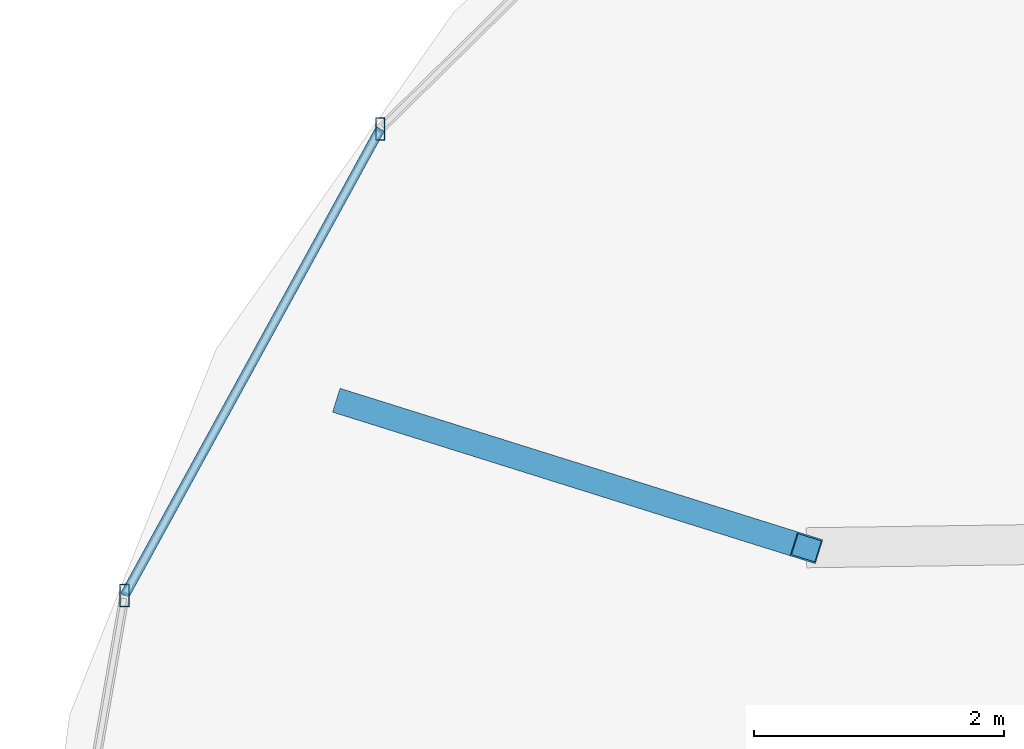
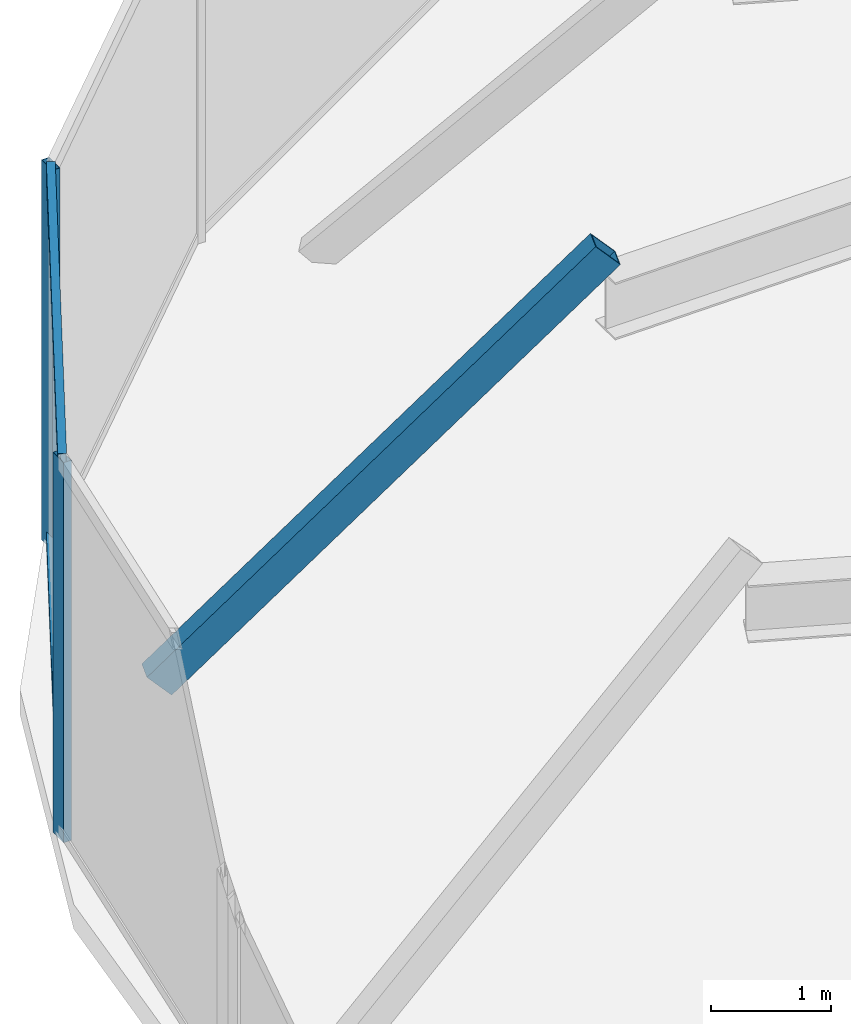
# One storey, part 7 of 14: 5 members, 1 element without a shape of its own.
"""IFC4 building model written with IfcOpenShell, lengths in metres."""

import ifcopenshell
import ifcopenshell.guid

model = None  # the IFC model being written
_history = None  # IfcOwnerHistory: only IFC2X3 demands one
_inside = {}  # id of a spatial element -> (the spatial element, [elements in it])
_under = {}  # id of a project, library or spatial element -> (it, [spatial elements below it])
_declared = {}  # id of a project -> (the project, [libraries it declares])
_typed = {}  # id of a type object -> (the type object, [elements of that type])
_made_of = {}  # id of a material, layer set ... -> (it, [elements and type objects made of it])


def new_model(schema):
    """Start an empty IFC model of exactly this schema.

    Asked for "IFC4X3", IfcOpenShell would pick the latest addendum, in which some entities
    have other attributes; the version numbers below select the first issue.
    IFC2X3 requires an IfcOwnerHistory on every rooted entity: one is made here for all.
    """
    global model, _history
    if schema == "IFC4X3":
        model = ifcopenshell.file(schema_version=(4, 3, 0, 0))
    else:
        model = ifcopenshell.file(schema=schema)
    _inside.clear()
    _under.clear()
    _declared.clear()
    _typed.clear()
    _made_of.clear()
    _history = None
    if model.schema == "IFC2X3":
        org = make("IfcOrganization", Name="unknown")
        user = make(
            "IfcPersonAndOrganization",
            ThePerson=make("IfcPerson", FamilyName="unknown"),
            TheOrganization=org,
        )
        app = make(
            "IfcApplication",
            ApplicationDeveloper=org,
            Version="unknown",
            ApplicationFullName="unknown",
            ApplicationIdentifier="unknown",
        )
        _history = make(
            "IfcOwnerHistory",
            OwningUser=user,
            OwningApplication=app,
            ChangeAction="ADDED",
            CreationDate=0,
        )
    return model


def make(cls, **values):
    """One entity of the class cls with the attributes given. An attribute that is None is left unset."""
    return model.create_entity(
        cls, **{name: value for name, value in values.items() if value is not None}
    )


def rooted(cls, **values):
    """An entity with a GlobalId (a new one), such as an element, a storey or a relation."""
    return make(cls, GlobalId=ifcopenshell.guid.new(), OwnerHistory=_history, **values)


def si_unit(unit_type, name, prefix=None):
    """IfcSIUnit, for example si_unit("LENGTHUNIT", "METRE", prefix="MILLI")."""
    return make("IfcSIUnit", UnitType=unit_type, Prefix=prefix, Name=name)


def assignment(units):
    """IfcUnitAssignment: the units of a project."""
    return None if units is None else make("IfcUnitAssignment", Units=units)


def point(xyz):
    """IfcCartesianPoint."""
    return None if xyz is None else make("IfcCartesianPoint", Coordinates=xyz)


def direction(xyz):
    """IfcDirection."""
    return None if xyz is None else make("IfcDirection", DirectionRatios=xyz)


def frame(location, z_axis=None, x_axis=None):
    """IfcAxis2Placement3D, a coordinate frame: its origin and axes. An axis left out is left unset."""
    return make(
        "IfcAxis2Placement3D",
        Location=point(location),
        Axis=direction(z_axis),
        RefDirection=direction(x_axis),
    )


def frame_2d(location, x_axis=None):
    """IfcAxis2Placement2D, a coordinate frame in the plane: its origin and x axis."""
    return make(
        "IfcAxis2Placement2D", Location=point(location), RefDirection=direction(x_axis)
    )


def origin():
    """The frame at (0, 0, 0) with its axes left unset."""
    return frame((0.0, 0.0, 0.0))


def origin_2d():
    """The frame at (0, 0) in the plane with its x axis left unset."""
    return frame_2d((0.0, 0.0))


def place(relative_to, where):
    """IfcLocalPlacement: puts the frame where relative to a parent placement (None: the world)."""
    return make(
        "IfcLocalPlacement", PlacementRelTo=relative_to, RelativePlacement=where
    )


def context(
    kind, dimensions, precision=None, world=None, true_north=None, identifier=None
):
    """IfcGeometricRepresentationContext, for example the 3D "Model" context."""
    return make(
        "IfcGeometricRepresentationContext",
        ContextIdentifier=identifier,
        ContextType=kind,
        CoordinateSpaceDimension=dimensions,
        Precision=precision,
        WorldCoordinateSystem=world,
        TrueNorth=true_north,
    )


def subcontext(parent, identifier, kind, view, scale=None):
    """IfcGeometricRepresentationSubContext, for example "Body" below "Model"."""
    return make(
        "IfcGeometricRepresentationSubContext",
        ContextIdentifier=identifier,
        ContextType=kind,
        ParentContext=parent,
        TargetScale=scale,
        TargetView=view,
    )


def project(units=None, contexts=None):
    """IfcProject with its units and contexts."""
    return rooted(
        "IfcProject",
        Name="project",
        RepresentationContexts=contexts,
        UnitsInContext=assignment(units),
    )


def spatial(cls, under=None, at=None, **own):
    """A site, building, storey or space (cls), placed at a placement, below another one or the project."""
    s = rooted(cls, ObjectPlacement=at, **own)
    if under is not None:
        _under.setdefault(under.id(), (under, []))[1].append(s)
    return s


def profile(cls, at=None, kind="AREA", **sizes):
    """A parametric profile (cls). Its sizes go by their IFC names, for example OverallWidth=200.0."""
    return make(cls, ProfileType=kind, Position=at, **sizes)


def hollow_rectangle(**sizes):
    """IfcRectangleHollowProfileDef."""
    return profile("IfcRectangleHollowProfileDef", **sizes)


def extrude(swept, where, along, depth):
    """IfcExtrudedAreaSolid: the profile swept, set in the frame where, extruded along a direction by depth."""
    return make(
        "IfcExtrudedAreaSolid",
        SweptArea=swept,
        Position=where,
        ExtrudedDirection=direction(along),
        Depth=depth,
    )


def shape(context_of_items, identifier, shape_type, items):
    """IfcShapeRepresentation: the items that make up one representation, for example the "Body"."""
    return make(
        "IfcShapeRepresentation",
        ContextOfItems=context_of_items,
        RepresentationIdentifier=identifier,
        RepresentationType=shape_type,
        Items=items,
    )


def material(Name=None, Category=None):
    """IfcMaterial."""
    return make("IfcMaterial", Name=Name, Category=Category)


def material_profile(
    of_material, cross_section, Name=None, Category=None, Priority=None
):
    """IfcMaterialProfile: a cross section and its material."""
    return make(
        "IfcMaterialProfile",
        Name=Name,
        Material=of_material,
        Profile=cross_section,
        Priority=Priority,
        Category=Category,
    )


def profile_set(profiles, Name=None, composite=None):
    """IfcMaterialProfileSet."""
    return make(
        "IfcMaterialProfileSet",
        Name=Name,
        MaterialProfiles=profiles,
        CompositeProfile=composite,
    )


def made_of(thing, what):
    """Note that an element or type object is made of a material, layer set ...; save() writes the relation."""
    if what is not None:
        _made_of.setdefault(what.id(), (what, []))[1].append(thing)
    return thing


def type_object(cls, material=None, **own):
    """A type object (cls), such as IfcWallType, which elements share."""
    return made_of(rooted(cls, **own), material)


def element(
    cls,
    number,
    at=None,
    inside=None,
    cuts=None,
    type_object=None,
    material=None,
    context=None,
    identifier="Body",
    shape_type=None,
    held_by="IfcProductDefinitionShape",
    body=None,
    shapes=None,
    **own,
):
    """One element of the class cls, such as IfcWall. Its Tag is "e" and its number.

    at: its placement. inside: the storey or other place that contains it. cuts: it is an
    opening in that element (IfcRelVoidsElement). A single representation is given by context,
    identifier, shape_type and body (its items); several are given by shapes. held_by: the class
    of the entity that holds the representations. save() writes the other relations.
    """
    e = rooted(cls, Tag="e%d" % number, ObjectPlacement=at, **own)
    if body is not None:
        shapes = [shape(context, identifier, shape_type, body)]
    if shapes is not None:
        e.Representation = make(held_by, Representations=shapes)
    if inside is not None:
        _inside.setdefault(inside.id(), (inside, []))[1].append(e)
    if cuts is not None:
        rooted(
            "IfcRelVoidsElement", RelatingBuildingElement=cuts, RelatedOpeningElement=e
        )
    if type_object is not None:
        _typed.setdefault(type_object.id(), (type_object, []))[1].append(e)
    return made_of(e, material)


def aggregate(whole, parts):
    """IfcRelAggregates: a whole, such as a stair, and the parts it consists of."""
    return rooted("IfcRelAggregates", RelatingObject=whole, RelatedObjects=parts)


def save(model, path):
    """Write the relations noted so far, then the file.

    IfcRelAggregates (storeys below a building ...), IfcRelContainedInSpatialStructure (elements
    in a storey), IfcRelDefinesByType, IfcRelAssociatesMaterial and IfcRelDeclares: one each for
    every whole, place, type object, material and project.
    """
    for whole, parts in _under.values():
        aggregate(whole, parts)
    for where, things in _inside.values():
        rooted(
            "IfcRelContainedInSpatialStructure",
            RelatedElements=things,
            RelatingStructure=where,
        )
    for kind, things in _typed.values():
        rooted("IfcRelDefinesByType", RelatedObjects=things, RelatingType=kind)
    for what, things in _made_of.values():
        rooted("IfcRelAssociatesMaterial", RelatedObjects=things, RelatingMaterial=what)
    for by, libraries in _declared.values():
        rooted("IfcRelDeclares", RelatingContext=by, RelatedDefinitions=libraries)
    model.write(path)


model = new_model("IFC4")

# Units and contexts
model_context = context("Model", 3, precision=1e-05, world=origin(), true_north=direction((0.0, 1.0)))
body_context = subcontext(model_context, "Body", "Model", "MODEL_VIEW")
ifc_project = project(units=[si_unit("LENGTHUNIT", "METRE"), si_unit("AREAUNIT", "SQUARE_METRE"), si_unit("VOLUMEUNIT", "CUBIC_METRE"), si_unit("PLANEANGLEUNIT", "RADIAN"), si_unit("MASSUNIT", "GRAM", prefix="KILO")], contexts=[model_context])

# Site, building, storey
site_placement = place(None, origin())
site = spatial("IfcSite", under=ifc_project, at=site_placement, CompositionType="ELEMENT")
building_placement = place(site_placement, origin())
building = spatial("IfcBuilding", under=site, at=building_placement, Name="Vorneva Point Tower", CompositionType="ELEMENT")
storey_placement = place(building_placement, frame((0.0, 0.0, 299.199951171875)))
storey = spatial("IfcBuildingStorey", under=building, at=storey_placement, Name="C02", CompositionType="ELEMENT", Elevation=299.199951171875)

# Curtain wall, members
ifc_material_1 = material(Name="Pale anodised aluminium", Category="aluminium")
curtain_wall_type = type_object("IfcCurtainWallType", Name="CW-CRN-SYS", PredefinedType="NOTDEFINED", material=ifc_material_1)
curtain_wall_placement = place(storey_placement, origin())
curtain_wall = element("IfcCurtainWall", 1, at=curtain_wall_placement, inside=storey, type_object=curtain_wall_type, Name="C02 Unitised Curtain Wall CW-C02-Q2", PredefinedType="NOTDEFINED")
ifc_material_profile_1 = material_profile(ifc_material_1, hollow_rectangle(XDim=0.074951171875, YDim=0.179931640625, WallThickness=0.00390625, at=origin_2d()), Name="AL-MUL 180x75x4")
ifc_profile_set_1 = profile_set([ifc_material_profile_1], Name="Pale anodised aluminium")
member_type_1 = type_object("IfcMemberType", Name="CW-MUL-180", PredefinedType="MULLION", material=ifc_profile_set_1)
member_1_placement = place(storey_placement, frame((20.2880859375, 33.72998046875, -0.0400390625), z_axis=(0.0, 0.0, 1.0), x_axis=(1.0, 0.0, 0.0)))
member_1 = element("IfcMember", 2, at=member_1_placement, type_object=member_type_1, Name="CW-C02-Q2 Mullion 05", PredefinedType="MULLION", context=body_context, shape_type="SweptSolid", body=[
    extrude(hollow_rectangle(XDim=0.074951171875, YDim=0.179931640625, WallThickness=0.00390625, at=origin_2d()), origin(), (0.0, 0.0, 1.0), 3.8701171875),
])
member_2_placement = place(storey_placement, frame((18.244873046875, 30.001220703125, -0.0400390625), z_axis=(0.0, 0.0, 1.0), x_axis=(1.0, 0.0, 0.0)))
member_2 = element("IfcMember", 3, at=member_2_placement, type_object=member_type_1, Name="CW-C02-Q2 Mullion 06", PredefinedType="MULLION", context=body_context, shape_type="SweptSolid", body=[
    extrude(hollow_rectangle(XDim=0.074951171875, YDim=0.179931640625, WallThickness=0.00390625, at=origin_2d()), origin(), (0.0, 0.0, 1.0), 3.8701171875),
])
ifc_material_profile_2 = material_profile(ifc_material_1, hollow_rectangle(XDim=0.074951171875, YDim=0.14990234375, WallThickness=0.00390625, at=origin_2d()), Name="AL-TRN 150x75x4")
ifc_profile_set_2 = profile_set([ifc_material_profile_2], Name="Pale anodised aluminium")
member_type_2 = type_object("IfcMemberType", Name="CW-TRN-150", PredefinedType="USERDEFINED", material=ifc_profile_set_2)
member_3_placement = place(storey_placement, frame((20.2880859375, 33.72998046875, 0.02001953125), z_axis=(-0.480544935922, -0.876970104713, 0.0), x_axis=(0.876970104713, -0.480544935922, 0.0)))
member_3 = element("IfcMember", 4, at=member_3_placement, type_object=member_type_2, Name="CW-C02-Q2 Transom 05.1", ObjectType="TRANSOM", PredefinedType="USERDEFINED", context=body_context, shape_type="SweptSolid", body=[
    extrude(hollow_rectangle(XDim=0.074951171875, YDim=0.14990234375, WallThickness=0.00390625, at=origin_2d()), origin(), (0.0, 0.0, 1.0), 4.251953125),
])
member_4_placement = place(storey_placement, frame((20.2880859375, 33.72998046875, 3.780029296875), z_axis=(-0.480544935922, -0.876970104713, 0.0), x_axis=(0.876970104713, -0.480544935922, 0.0)))
member_4 = element("IfcMember", 5, at=member_4_placement, type_object=member_type_2, Name="CW-C02-Q2 Transom 05.2", ObjectType="TRANSOM", PredefinedType="USERDEFINED", context=body_context, shape_type="SweptSolid", body=[
    extrude(hollow_rectangle(XDim=0.074951171875, YDim=0.14990234375, WallThickness=0.00390625, at=origin_2d()), origin(), (0.0, 0.0, 1.0), 4.251953125),
])
aggregate(curtain_wall, [member_1, member_2, member_3, member_4])

# Member
ifc_material_2 = material(Name="Steel S355", Category="steel")
ifc_material_profile_3 = material_profile(ifc_material_2, hollow_rectangle(XDim=0.199951171875, YDim=0.300048828125, WallThickness=0.011962890625, at=origin_2d()), Name="PP 300x200x12")
ifc_profile_set_3 = profile_set([ifc_material_profile_3], Name="Steel S355")
member_type_3 = type_object("IfcMemberType", Name="MBR-CRN-PP300", PredefinedType="CHORD", material=ifc_profile_set_3)
member_5_placement = place(storey_placement, frame((20.037841796875, 31.52978515625, 0.0), z_axis=(0.677712777002, -0.21268405113, 0.703896928736), x_axis=(0.299427585254, 0.954119028837, 0.0)))
element("IfcMember", 6, at=member_5_placement, inside=storey, type_object=member_type_3, Name="Crown Tapered Frame Rib C02-08", PredefinedType="CHORD", context=body_context, shape_type="SweptSolid", body=[
    extrude(hollow_rectangle(XDim=0.199951171875, YDim=0.300048828125, WallThickness=0.011962890625, at=origin_2d()), origin(), (0.0, 0.0, 1.0), 5.398681640625),
])

save(model, "model.ifc")
